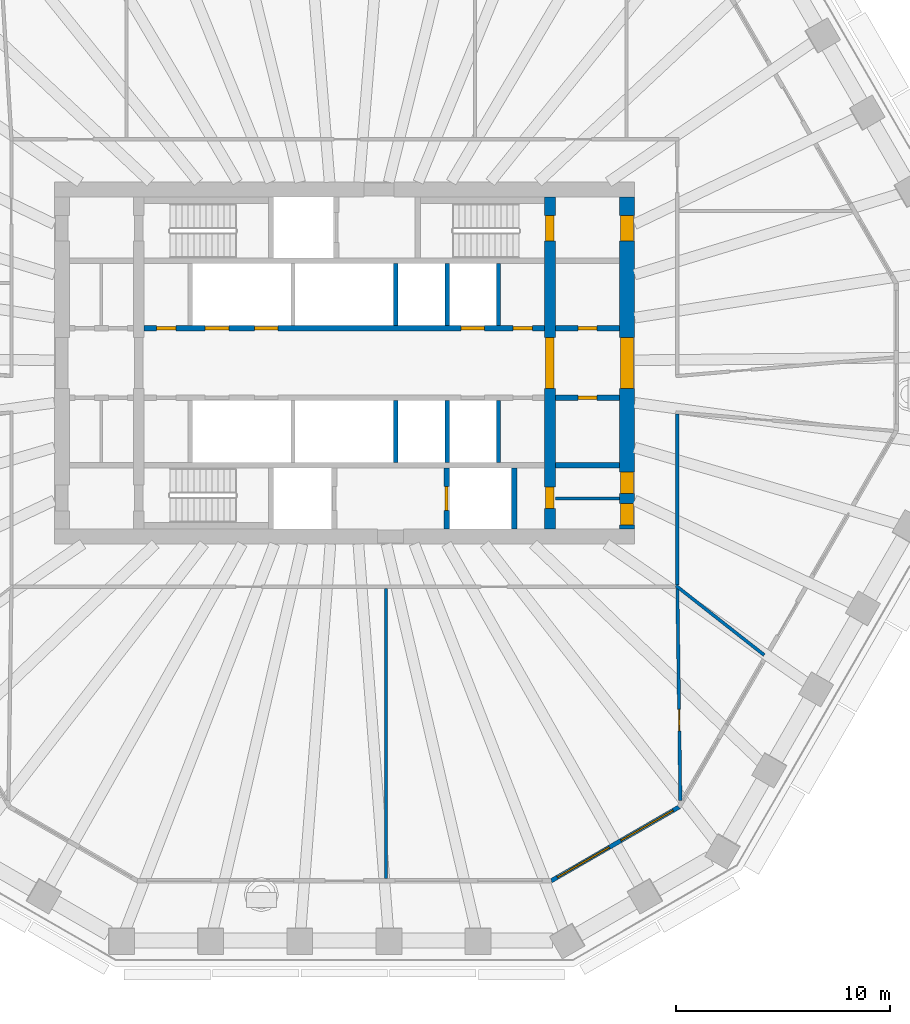
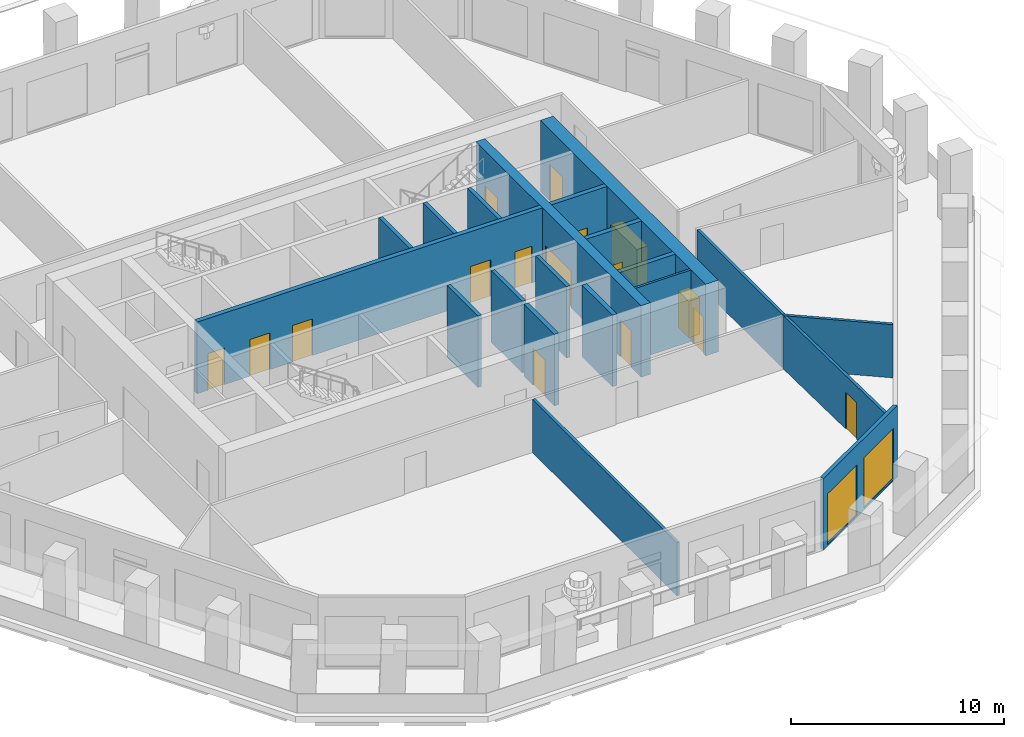
# One storey, part 5 of 12: 20 walls, 16 doors, 2 windows, 18 openings.
"""IFC4 building model written with IfcOpenShell, lengths in metres."""

from ifc_helpers import new_model, si_unit, direction, frame, frame_2d, origin, place, context, subcontext, project, spatial, polyline, rectangle, outline, extrude, material, layer, layer_set, type_object, element, fill, save


model = new_model("IFC4")

# Units and contexts
model_context = context("Model", 3, precision=1e-05, world=origin(), true_north=direction((0.0, 1.0)))
body_context = subcontext(model_context, "Body", "Model", "MODEL_VIEW")
ifc_project = project(units=[si_unit("LENGTHUNIT", "METRE"), si_unit("AREAUNIT", "SQUARE_METRE"), si_unit("VOLUMEUNIT", "CUBIC_METRE"), si_unit("PLANEANGLEUNIT", "RADIAN"), si_unit("MASSUNIT", "GRAM", prefix="KILO")], contexts=[model_context])

# Site, building, storey
site_placement = place(None, origin())
site = spatial("IfcSite", under=ifc_project, at=site_placement, CompositionType="ELEMENT")
building_placement = place(site_placement, origin())
building = spatial("IfcBuilding", under=site, at=building_placement, Name="Frailejon Research Tower", CompositionType="ELEMENT")
storey_placement = place(building_placement, frame((0.0, 0.0, 154.0)))
storey = spatial("IfcBuildingStorey", under=building, at=storey_placement, Name="L33", CompositionType="ELEMENT", Elevation=154.0)

# Wall
ifc_material_1 = material(Name="Plasterboard on steel studs", Category="steel")
ifc_layer_1 = layer(ifc_material_1, 0.125)
ifc_layer_set_1 = layer_set([ifc_layer_1], Name="Core partition 125")
wall_type_1 = type_object("IfcWallType", Name="Core partition 125", PredefinedType="PARTITIONING", material=ifc_layer_set_1)
wall_1_placement = place(storey_placement, frame((9.85009765625, -6.324951171875, 0.0), z_axis=(0.0, 0.0, 1.0), x_axis=(1.0, 0.0, 0.0)))
element("IfcWall", 1, at=wall_1_placement, inside=storey, type_object=wall_type_1, Name="Core partition", PredefinedType="PARTITIONING", context=body_context, shape_type="SweptSolid", body=[
    extrude(rectangle(XDim=3.0, YDim=0.125, at=frame_2d((1.5, 0.0))), origin(), (0.0, 0.0, 1.0), 4.10009765625),
])

# Wall, openings, doors
ifc_material_2 = material(Name="Concrete C60/75", Category="concrete")
ifc_layer_2 = layer(ifc_material_2, 0.5)
ifc_layer_set_2 = layer_set([ifc_layer_2], Name="Core shear wall 500 C60/75")
wall_type_2 = type_object("IfcWallType", Name="Core shear wall 500 C60/75", PredefinedType="SHEAR", material=ifc_layer_set_2)
wall_2_placement = place(storey_placement, frame((9.60009765625, -7.75, 0.0), z_axis=(0.0, 0.0, 1.0), x_axis=(0.0, 1.0, 0.0)))
wall_2 = element("IfcWall", 2, at=wall_2_placement, inside=storey, type_object=wall_type_2, Name="Core shear wall", PredefinedType="SHEAR", context=body_context, shape_type="SweptSolid", body=[
    extrude(rectangle(XDim=15.5, YDim=0.5, at=frame_2d((7.75, 0.0))), origin(), (0.0, 0.0, 1.0), 4.10009765625),
])
opening_1_placement = place(wall_2_placement, frame((6.550048828125, 0.0, 0.0)))
opening_1 = element("IfcOpeningElement", 3, at=opening_1_placement, cuts=wall_2, Name="Opening D2", PredefinedType="OPENING", context=body_context, shape_type="SweptSolid", body=[
    extrude(rectangle(XDim=2.39990234375, YDim=2.10009765625, at=frame_2d((1.199951171875, 1.050048828125))), frame((0.0, 0.260009765625, 0.0), z_axis=(0.0, -1.0, 0.0), x_axis=(1.0, 0.0, 0.0)), (0.0, 0.0, 1.0), 0.52001953125),
])
opening_2_placement = place(wall_2_placement, frame((13.449951171875, 0.0, 0.0)))
opening_2 = element("IfcOpeningElement", 4, at=opening_2_placement, cuts=wall_2, Name="Opening D1", PredefinedType="OPENING", context=body_context, shape_type="SweptSolid", body=[
    extrude(rectangle(XDim=1.199951171875, YDim=2.10009765625, at=frame_2d((0.60009765625, 1.050048828125))), frame((0.0, 0.260009765625, 0.0), z_axis=(0.0, -1.0, 0.0), x_axis=(1.0, 0.0, 0.0)), (0.0, 0.0, 1.0), 0.52001953125),
])
opening_3_placement = place(wall_2_placement, frame((0.949951171875, 0.0, 0.0)))
opening_3 = element("IfcOpeningElement", 5, at=opening_3_placement, cuts=wall_2, Name="Opening D4", PredefinedType="OPENING", context=body_context, shape_type="SweptSolid", body=[
    extrude(rectangle(XDim=1.0, YDim=2.10009765625, at=frame_2d((0.5, 1.050048828125))), frame((0.0, 0.260009765625, 0.0), z_axis=(0.0, -1.0, 0.0), x_axis=(1.0, 0.0, 0.0)), (0.0, 0.0, 1.0), 0.52001953125),
])
ifc_material_3 = material(Name="Steel", Category="steel")
door_type_1 = type_object("IfcDoorType", Name="Lobby double door", OperationType="DOUBLE_DOOR_SINGLE_SWING", PredefinedType="DOOR", material=ifc_material_3)
door_1_placement = place(opening_1_placement, origin())
door_1 = element("IfcDoor", 6, at=door_1_placement, inside=storey, type_object=door_type_1, Name="Lobby door", OperationType="DOUBLE_DOOR_SINGLE_SWING", OverallHeight=2.10009765625, OverallWidth=2.39990234375, PredefinedType="DOOR", context=body_context, shape_type="SweptSolid", body=[
    extrude(rectangle(XDim=2.39990234375, YDim=2.10009765625, at=frame_2d((1.199951171875, 1.050048828125))), frame((0.0, 0.199951171875, 0.0), z_axis=(0.0, -1.0, 0.0), x_axis=(1.0, 0.0, 0.0)), (0.0, 0.0, 1.0), 0.39990234375),
])
fill(opening_1, door_1)
ifc_material_4 = material(Name="Steel", Category="steel")
door_type_2 = type_object("IfcDoorType", Name="Service door", OperationType="SINGLE_SWING_LEFT", PredefinedType="DOOR", material=ifc_material_4)
door_2_placement = place(opening_3_placement, origin())
door_2 = element("IfcDoor", 7, at=door_2_placement, inside=storey, type_object=door_type_2, Name="Riser door", OperationType="SINGLE_SWING_RIGHT", OverallHeight=2.10009765625, OverallWidth=1.0, PredefinedType="DOOR", context=body_context, shape_type="SweptSolid", body=[
    extrude(rectangle(XDim=1.0, YDim=2.10009765625, at=frame_2d((0.5, 1.050048828125))), frame((0.0, 0.199951171875, 0.0), z_axis=(0.0, -1.0, 0.0), x_axis=(1.0, 0.0, 0.0)), (0.0, 0.0, 1.0), 0.39990234375),
])
fill(opening_3, door_2)
ifc_material_5 = material(Name="Steel", Category="steel")
door_type_3 = type_object("IfcDoorType", Name="Stair door", OperationType="SINGLE_SWING_LEFT", PredefinedType="DOOR", material=ifc_material_5)
door_3_placement = place(opening_2_placement, origin())
door_3 = element("IfcDoor", 8, at=door_3_placement, inside=storey, type_object=door_type_3, Name="Stair door ST3", OperationType="SINGLE_SWING_RIGHT", OverallHeight=2.10009765625, OverallWidth=1.199951171875, PredefinedType="DOOR", context=body_context, shape_type="SweptSolid", body=[
    extrude(rectangle(XDim=1.199951171875, YDim=2.10009765625, at=frame_2d((0.60009765625, 1.050048828125))), frame((0.0, 0.199951171875, 0.0), z_axis=(0.0, -1.0, 0.0), x_axis=(1.0, 0.0, 0.0)), (0.0, 0.0, 1.0), 0.39990234375),
])
fill(opening_2, door_3)

ifc_material_6 = material(Name="Concrete C60/75", Category="concrete")
ifc_layer_3 = layer(ifc_material_6, 0.699951171875)
ifc_layer_set_3 = layer_set([ifc_layer_3], Name="Core shear wall 700 C60/75")
wall_type_3 = type_object("IfcWallType", Name="Core shear wall 700 C60/75", PredefinedType="SHEAR", material=ifc_layer_set_3)
wall_3_placement = place(storey_placement, frame((13.199951171875, -7.75, 0.0), z_axis=(0.0, 0.0, 1.0), x_axis=(0.0, 1.0, 0.0)))
wall_3 = element("IfcWall", 9, at=wall_3_placement, inside=storey, type_object=wall_type_3, Name="Core shear wall", PredefinedType="SHEAR", context=body_context, shape_type="SweptSolid", body=[
    extrude(rectangle(XDim=15.5, YDim=0.699951171875, at=frame_2d((7.75, 0.0))), origin(), (0.0, 0.0, 1.0), 4.10009765625),
])
opening_4_placement = place(wall_3_placement, frame((6.550048828125, 0.0, 0.0)))
opening_4 = element("IfcOpeningElement", 10, at=opening_4_placement, cuts=wall_3, Name="Opening D2", PredefinedType="OPENING", context=body_context, shape_type="SweptSolid", body=[
    extrude(rectangle(XDim=2.39990234375, YDim=2.10009765625, at=frame_2d((1.199951171875, 1.050048828125))), frame((0.0, 0.35986328125, 0.0), z_axis=(0.0, -1.0, 0.0), x_axis=(1.0, 0.0, 0.0)), (0.0, 0.0, 1.0), 0.719970703125),
])
opening_5_placement = place(wall_3_placement, frame((13.449951171875, 0.0, 0.0)))
opening_5 = element("IfcOpeningElement", 11, at=opening_5_placement, cuts=wall_3, Name="Opening D7", PredefinedType="OPENING", context=body_context, shape_type="SweptSolid", body=[
    extrude(rectangle(XDim=1.199951171875, YDim=2.10009765625, at=frame_2d((0.60009765625, 1.050048828125))), frame((0.0, 0.35986328125, 0.0), z_axis=(0.0, -1.0, 0.0), x_axis=(1.0, 0.0, 0.0)), (0.0, 0.0, 1.0), 0.719970703125),
])
opening_6_placement = place(wall_3_placement, frame((0.181396484375, 0.0, 0.0)))
opening_6 = element("IfcOpeningElement", 12, at=opening_6_placement, cuts=wall_3, Name="Opening D4", PredefinedType="OPENING", context=body_context, shape_type="SweptSolid", body=[
    extrude(rectangle(XDim=1.0, YDim=2.10009765625, at=frame_2d((0.5, 1.050048828125))), frame((0.0, 0.35986328125, 0.0), z_axis=(0.0, -1.0, 0.0), x_axis=(1.0, 0.0, 0.0)), (0.0, 0.0, 1.0), 0.719970703125),
])
opening_7_placement = place(wall_3_placement, frame((1.668701171875, 0.0, 0.0)))
opening_7 = element("IfcOpeningElement", 13, at=opening_7_placement, cuts=wall_3, Name="Opening D4", PredefinedType="OPENING", context=body_context, shape_type="SweptSolid", body=[
    extrude(rectangle(XDim=1.0, YDim=2.10009765625, at=frame_2d((0.5, 1.050048828125))), frame((0.0, 0.35986328125, 0.0), z_axis=(0.0, -1.0, 0.0), x_axis=(1.0, 0.0, 0.0)), (0.0, 0.0, 1.0), 0.719970703125),
])
door_4_placement = place(opening_4_placement, origin())
door_4 = element("IfcDoor", 14, at=door_4_placement, inside=storey, type_object=door_type_1, Name="Lobby door", OperationType="DOUBLE_DOOR_SINGLE_SWING", OverallHeight=2.10009765625, OverallWidth=2.39990234375, PredefinedType="DOOR", context=body_context, shape_type="SweptSolid", body=[
    extrude(rectangle(XDim=2.39990234375, YDim=2.10009765625, at=frame_2d((1.199951171875, 1.050048828125))), frame((0.0, 0.300048828125, 0.0), z_axis=(0.0, -1.0, 0.0), x_axis=(1.0, 0.0, 0.0)), (0.0, 0.0, 1.0), 0.60009765625),
])
fill(opening_4, door_4)
door_5_placement = place(opening_6_placement, origin())
door_5 = element("IfcDoor", 15, at=door_5_placement, inside=storey, type_object=door_type_2, Name="Store door", OperationType="SINGLE_SWING_LEFT", OverallHeight=2.10009765625, OverallWidth=1.0, PredefinedType="DOOR", context=body_context, shape_type="SweptSolid", body=[
    extrude(rectangle(XDim=1.0, YDim=2.10009765625, at=frame_2d((0.5, 1.050048828125))), frame((0.0, 0.300048828125, 0.0), z_axis=(0.0, -1.0, 0.0), x_axis=(1.0, 0.0, 0.0)), (0.0, 0.0, 1.0), 0.60009765625),
])
fill(opening_6, door_5)
door_6_placement = place(opening_7_placement, origin())
door_6 = element("IfcDoor", 16, at=door_6_placement, inside=storey, type_object=door_type_2, Name="Store door", OperationType="SINGLE_SWING_RIGHT", OverallHeight=2.10009765625, OverallWidth=1.0, PredefinedType="DOOR", context=body_context, shape_type="SweptSolid", body=[
    extrude(rectangle(XDim=1.0, YDim=2.10009765625, at=frame_2d((0.5, 1.050048828125))), frame((0.0, 0.300048828125, 0.0), z_axis=(0.0, -1.0, 0.0), x_axis=(1.0, 0.0, 0.0)), (0.0, 0.0, 1.0), 0.60009765625),
])
fill(opening_7, door_6)
ifc_material_7 = material(Name="Steel", Category="steel")
door_type_4 = type_object("IfcDoorType", Name="Stair exit door", OperationType="SINGLE_SWING_LEFT", PredefinedType="DOOR", material=ifc_material_7)
door_7_placement = place(opening_5_placement, origin())
door_7 = element("IfcDoor", 17, at=door_7_placement, inside=storey, type_object=door_type_4, Name="Stair exit door ST3", OperationType="SINGLE_SWING_LEFT", OverallHeight=2.10009765625, OverallWidth=1.199951171875, PredefinedType="DOOR", context=body_context, shape_type="SweptSolid", body=[
    extrude(rectangle(XDim=1.199951171875, YDim=2.10009765625, at=frame_2d((0.60009765625, 1.050048828125))), frame((0.0, 0.300048828125, 0.0), z_axis=(0.0, -1.0, 0.0), x_axis=(1.0, 0.0, 0.0)), (0.0, 0.0, 1.0), 0.60009765625),
])
fill(opening_5, door_7)

# Walls
ifc_material_8 = material(Name="Gypsum board and masonry partition", Category="masonry")
ifc_layer_4 = layer(ifc_material_8, 0.14990234375)
ifc_layer_set_4 = layer_set([ifc_layer_4], Name="Corridor wall EI 60, gypsum on steel studs 150")
wall_type_4 = type_object("IfcWallType", Name="Corridor wall EI 60, gypsum on steel studs 150", PredefinedType="PARTITIONING", material=ifc_layer_set_4)
wall_4_placement = place(storey_placement, frame((15.550048828125, -10.375, 0.0), z_axis=(0.0, 0.0, 1.0), x_axis=(0.0, 1.0, 0.0)))
element("IfcWall", 18, at=wall_4_placement, inside=storey, type_object=wall_type_4, Name="T:IW:L33:003", PredefinedType="PARTITIONING", context=body_context, shape_type="SweptSolid", body=[
    extrude(rectangle(XDim=7.994384765625, YDim=0.14990234375, at=frame_2d((3.9970703125, 0.0))), origin(), (0.0, 0.0, 1.0), 3.050048828125),
])
ifc_material_9 = material(Name="Gypsum board and masonry partition", Category="masonry")
ifc_layer_5 = layer(ifc_material_9, 0.14990234375)
ifc_layer_set_5 = layer_set([ifc_layer_5], Name="Laboratory partition, blockwork 150")
wall_type_5 = type_object("IfcWallType", Name="Laboratory partition, blockwork 150", PredefinedType="PARTITIONING", material=ifc_layer_set_5)
wall_5_placement = place(storey_placement, frame((1.939208984375, -24.07666015625, 0.0), z_axis=(0.0, 0.0, 1.0), x_axis=(0.0, 1.0, 0.0)))
element("IfcWall", 19, at=wall_5_placement, inside=storey, type_object=wall_type_5, Name="T:IW:L33:018", PredefinedType="PARTITIONING", context=body_context, shape_type="SweptSolid", body=[
    extrude(rectangle(XDim=13.5517578125, YDim=0.14990234375, at=frame_2d((6.77587890625, 0.0))), origin(), (0.0, 0.0, 1.0), 3.050048828125),
])

# Wall, opening, door
wall_6_placement = place(storey_placement, frame((15.551025390625, -10.52490234375, 0.0), z_axis=(0.0, 0.0, 1.0), x_axis=(0.014157785589, -0.999899773531, 0.0)))
wall_6 = element("IfcWall", 20, at=wall_6_placement, inside=storey, type_object=wall_type_5, Name="T:IW:L33:019", PredefinedType="PARTITIONING", context=body_context, shape_type="SweptSolid", body=[
    extrude(rectangle(XDim=9.898193359375, YDim=0.14990234375, at=frame_2d((4.94921875, 0.0))), origin(), (0.0, 0.0, 1.0), 3.050048828125),
])
opening_8_placement = place(wall_6_placement, frame((5.652587890625, 0.0, 0.0)))
opening_8 = element("IfcOpeningElement", 21, at=opening_8_placement, cuts=wall_6, Name="Opening D1732", PredefinedType="OPENING", context=body_context, shape_type="SweptSolid", body=[
    extrude(rectangle(XDim=1.0, YDim=2.10009765625, at=frame_2d((0.5, 1.050048828125))), frame((0.0, 0.0849609375, 0.0), z_axis=(0.0, -1.0, 0.0), x_axis=(1.0, 0.0, 0.0)), (0.0, 0.0, 1.0), 0.169921875),
])
ifc_material_10 = material(Name="Timber door leaf", Category="wood")
door_type_5 = type_object("IfcDoorType", Name="Door laboratory, timber, vision panel 1000", OperationType="NOTDEFINED", PredefinedType="DOOR", material=ifc_material_10)
door_8_placement = place(opening_8_placement, origin())
door_8 = element("IfcDoor", 22, at=door_8_placement, inside=storey, type_object=door_type_5, Name="D1732", OperationType="SINGLE_SWING_RIGHT", OverallHeight=2.10009765625, OverallWidth=1.0, PredefinedType="DOOR", context=body_context, shape_type="SweptSolid", body=[
    extrude(rectangle(XDim=1.0, YDim=2.10009765625, at=frame_2d((0.5, 1.050048828125))), frame((0.0, 0.02490234375, 0.0), z_axis=(0.0, -1.0, 0.0), x_axis=(1.0, 0.0, 0.0)), (0.0, 0.0, 1.0), 0.050048828125),
])
fill(opening_8, door_8)

# Walls
wall_7_placement = place(storey_placement, frame((15.490966796875, -10.40380859375, 0.0), z_axis=(0.0, 0.0, 1.0), x_axis=(0.78641541947, -0.617697974757, 0.0)))
element("IfcWall", 23, at=wall_7_placement, inside=storey, type_object=wall_type_5, Name="T:IW:L33:020", PredefinedType="PARTITIONING", context=body_context, shape_type="SweptSolid", body=[
    extrude(rectangle(XDim=5.2353515625, YDim=0.14990234375, at=frame_2d((2.61767578125, 0.0))), origin(), (0.0, 0.0, 1.0), 3.050048828125),
])
ifc_material_11 = material(Name="Concrete C60/75", Category="concrete")
ifc_layer_6 = layer(ifc_material_11, 0.199951171875)
ifc_layer_set_6 = layer_set([ifc_layer_6], Name="Shaft wall 200 C60/75")
wall_type_6 = type_object("IfcWallType", Name="Shaft wall 200 C60/75", PredefinedType="SOLIDWALL", material=ifc_layer_set_6)
for number, where, z_axis, x_axis, name in (
    (24, (2.39990234375, 1.75, 0.0), (0.0, 0.0, 1.0), (0.0, 1.0, 0.0), "Shaft wall"),
    (25, (4.800048828125, 1.75, 0.0), (0.0, 0.0, 1.0), (0.0, 1.0, 0.0), "Shaft wall"),
    (26, (7.199951171875, 1.75, 0.0), (0.0, 0.0, 1.0), (0.0, 1.0, 0.0), "Shaft wall"),
    (27, (2.39990234375, -4.64990234375, 0.0), (0.0, 0.0, 1.0), (0.0, 1.0, 0.0), "Shaft wall"),
    (28, (4.800048828125, -4.64990234375, 0.0), (0.0, 0.0, 1.0), (0.0, 1.0, 0.0), "Shaft wall"),
    (29, (7.199951171875, -4.64990234375, 0.0), (0.0, 0.0, 1.0), (0.0, 1.0, 0.0), "Shaft wall"),
):
    element("IfcWall", number, at=place(storey_placement, frame(where, z_axis=z_axis, x_axis=x_axis)), inside=storey, type_object=wall_type_6, Name=name, PredefinedType="SOLIDWALL", context=body_context, shape_type="SweptSolid", body=[
        extrude(rectangle(XDim=2.89990234375, YDim=0.199951171875, at=frame_2d((1.449951171875, 0.0))), origin(), (0.0, 0.0, 1.0), 4.10009765625),
    ])

# Wall, openings, doors
ifc_material_12 = material(Name="Concrete C60/75", Category="concrete")
ifc_layer_7 = layer(ifc_material_12, 0.25)
ifc_layer_set_7 = layer_set([ifc_layer_7], Name="Shaft wall 250 C60/75")
wall_type_7 = type_object("IfcWallType", Name="Shaft wall 250 C60/75", PredefinedType="SOLIDWALL", material=ifc_layer_set_7)
wall_8_placement = place(storey_placement, frame((-9.35009765625, 1.625, 0.0), z_axis=(0.0, 0.0, 1.0), x_axis=(1.0, 0.0, 0.0)))
wall_8 = element("IfcWall", 30, at=wall_8_placement, inside=storey, type_object=wall_type_7, Name="Shaft wall", PredefinedType="SOLIDWALL", context=body_context, shape_type="SweptSolid", body=[
    extrude(rectangle(XDim=18.7001953125, YDim=0.25, at=frame_2d((9.35009765625, 0.0))), origin(), (0.0, 0.0, 1.0), 4.10009765625),
])
opening_9_placement = place(wall_8_placement, frame((2.85009765625, 0.0, 0.0)))
opening_9 = element("IfcOpeningElement", 31, at=opening_9_placement, cuts=wall_8, Name="Opening LD", PredefinedType="OPENING", context=body_context, shape_type="SweptSolid", body=[
    extrude(rectangle(XDim=1.10009765625, YDim=2.10009765625, at=frame_2d((0.550048828125, 1.050048828125))), frame((0.0, 0.135009765625, 0.0), z_axis=(0.0, -1.0, 0.0), x_axis=(1.0, 0.0, 0.0)), (0.0, 0.0, 1.0), 0.27001953125),
])
opening_10_placement = place(wall_8_placement, frame((5.14990234375, 0.0, 0.0)))
opening_10 = element("IfcOpeningElement", 32, at=opening_10_placement, cuts=wall_8, Name="Opening LD", PredefinedType="OPENING", context=body_context, shape_type="SweptSolid", body=[
    extrude(rectangle(XDim=1.10009765625, YDim=2.10009765625, at=frame_2d((0.550048828125, 1.050048828125))), frame((0.0, 0.135009765625, 0.0), z_axis=(0.0, -1.0, 0.0), x_axis=(1.0, 0.0, 0.0)), (0.0, 0.0, 1.0), 0.27001953125),
])
opening_11_placement = place(wall_8_placement, frame((14.800048828125, 0.0, 0.0)))
opening_11 = element("IfcOpeningElement", 33, at=opening_11_placement, cuts=wall_8, Name="Opening LD", PredefinedType="OPENING", context=body_context, shape_type="SweptSolid", body=[
    extrude(rectangle(XDim=1.10009765625, YDim=2.10009765625, at=frame_2d((0.550048828125, 1.050048828125))), frame((0.0, 0.135009765625, 0.0), z_axis=(0.0, -1.0, 0.0), x_axis=(1.0, 0.0, 0.0)), (0.0, 0.0, 1.0), 0.27001953125),
])
opening_12_placement = place(wall_8_placement, frame((0.574951171875, 0.0, 0.0)))
opening_12 = element("IfcOpeningElement", 34, at=opening_12_placement, cuts=wall_8, Name="Opening D8", PredefinedType="OPENING", context=body_context, shape_type="SweptSolid", body=[
    extrude(rectangle(XDim=0.89990234375, YDim=2.10009765625, at=frame_2d((0.449951171875, 1.050048828125))), frame((0.0, 0.135009765625, 0.0), z_axis=(0.0, -1.0, 0.0), x_axis=(1.0, 0.0, 0.0)), (0.0, 0.0, 1.0), 0.27001953125),
])
opening_13_placement = place(wall_8_placement, frame((17.22509765625, 0.0, 0.0)))
opening_13 = element("IfcOpeningElement", 35, at=opening_13_placement, cuts=wall_8, Name="Opening D8", PredefinedType="OPENING", context=body_context, shape_type="SweptSolid", body=[
    extrude(rectangle(XDim=0.89990234375, YDim=2.10009765625, at=frame_2d((0.449951171875, 1.050048828125))), frame((0.0, 0.135009765625, 0.0), z_axis=(0.0, -1.0, 0.0), x_axis=(1.0, 0.0, 0.0)), (0.0, 0.0, 1.0), 0.27001953125),
])
ifc_material_13 = material(Name="Steel", Category="steel")
door_type_6 = type_object("IfcDoorType", Name="Core room door", OperationType="SINGLE_SWING_LEFT", PredefinedType="DOOR", material=ifc_material_13)
door_9_placement = place(opening_12_placement, origin())
door_9 = element("IfcDoor", 36, at=door_9_placement, inside=storey, type_object=door_type_6, Name="Room door", OperationType="SINGLE_SWING_LEFT", OverallHeight=2.10009765625, OverallWidth=0.89990234375, PredefinedType="DOOR", context=body_context, shape_type="SweptSolid", body=[
    extrude(rectangle(XDim=0.89990234375, YDim=2.10009765625, at=frame_2d((0.449951171875, 1.050048828125))), frame((0.0, 0.074951171875, 0.0), z_axis=(0.0, -1.0, 0.0), x_axis=(1.0, 0.0, 0.0)), (0.0, 0.0, 1.0), 0.14990234375),
])
fill(opening_12, door_9)
door_10_placement = place(opening_13_placement, origin())
door_10 = element("IfcDoor", 37, at=door_10_placement, inside=storey, type_object=door_type_6, Name="Room door", OperationType="SINGLE_SWING_RIGHT", OverallHeight=2.10009765625, OverallWidth=0.89990234375, PredefinedType="DOOR", context=body_context, shape_type="SweptSolid", body=[
    extrude(rectangle(XDim=0.89990234375, YDim=2.10009765625, at=frame_2d((0.449951171875, 1.050048828125))), frame((0.0, 0.074951171875, 0.0), z_axis=(0.0, -1.0, 0.0), x_axis=(1.0, 0.0, 0.0)), (0.0, 0.0, 1.0), 0.14990234375),
])
fill(opening_13, door_10)
ifc_material_14 = material(Name="Steel", Category="steel")
door_type_7 = type_object("IfcDoorType", Name="Lift landing door", OperationType="DOUBLE_DOOR_SLIDING", PredefinedType="DOOR", material=ifc_material_14)
door_11_placement = place(opening_9_placement, origin())
door_11 = element("IfcDoor", 38, at=door_11_placement, inside=storey, type_object=door_type_7, Name="Lift landing door", OperationType="DOUBLE_DOOR_SLIDING", OverallHeight=2.10009765625, OverallWidth=1.10009765625, PredefinedType="DOOR", context=body_context, shape_type="SweptSolid", body=[
    extrude(rectangle(XDim=1.10009765625, YDim=2.10009765625, at=frame_2d((0.550048828125, 1.050048828125))), frame((0.0, 0.074951171875, 0.0), z_axis=(0.0, -1.0, 0.0), x_axis=(1.0, 0.0, 0.0)), (0.0, 0.0, 1.0), 0.14990234375),
])
fill(opening_9, door_11)
door_12_placement = place(opening_10_placement, origin())
door_12 = element("IfcDoor", 39, at=door_12_placement, inside=storey, type_object=door_type_7, Name="Lift landing door", OperationType="DOUBLE_DOOR_SLIDING", OverallHeight=2.10009765625, OverallWidth=1.10009765625, PredefinedType="DOOR", context=body_context, shape_type="SweptSolid", body=[
    extrude(rectangle(XDim=1.10009765625, YDim=2.10009765625, at=frame_2d((0.550048828125, 1.050048828125))), frame((0.0, 0.074951171875, 0.0), z_axis=(0.0, -1.0, 0.0), x_axis=(1.0, 0.0, 0.0)), (0.0, 0.0, 1.0), 0.14990234375),
])
fill(opening_10, door_12)
door_13_placement = place(opening_11_placement, origin())
door_13 = element("IfcDoor", 40, at=door_13_placement, inside=storey, type_object=door_type_7, Name="Lift landing door", OperationType="DOUBLE_DOOR_SLIDING", OverallHeight=2.10009765625, OverallWidth=1.10009765625, PredefinedType="DOOR", context=body_context, shape_type="SweptSolid", body=[
    extrude(rectangle(XDim=1.10009765625, YDim=2.10009765625, at=frame_2d((0.550048828125, 1.050048828125))), frame((0.0, 0.074951171875, 0.0), z_axis=(0.0, -1.0, 0.0), x_axis=(1.0, 0.0, 0.0)), (0.0, 0.0, 1.0), 0.14990234375),
])
fill(opening_11, door_13)

# Wall, opening, door
wall_9_placement = place(storey_placement, frame((9.85009765625, 1.625, 0.0), z_axis=(0.0, 0.0, 1.0), x_axis=(1.0, 0.0, 0.0)))
wall_9 = element("IfcWall", 41, at=wall_9_placement, inside=storey, type_object=wall_type_7, Name="Shaft wall", PredefinedType="SOLIDWALL", context=body_context, shape_type="SweptSolid", body=[
    extrude(rectangle(XDim=3.0, YDim=0.25, at=frame_2d((1.5, 0.0))), origin(), (0.0, 0.0, 1.0), 4.10009765625),
])
opening_14_placement = place(wall_9_placement, frame((1.050048828125, 0.0, 0.0)))
opening_14 = element("IfcOpeningElement", 42, at=opening_14_placement, cuts=wall_9, Name="Opening D8", PredefinedType="OPENING", context=body_context, shape_type="SweptSolid", body=[
    extrude(rectangle(XDim=0.89990234375, YDim=2.10009765625, at=frame_2d((0.449951171875, 1.050048828125))), frame((0.0, 0.135009765625, 0.0), z_axis=(0.0, -1.0, 0.0), x_axis=(1.0, 0.0, 0.0)), (0.0, 0.0, 1.0), 0.27001953125),
])
door_14_placement = place(opening_14_placement, origin())
door_14 = element("IfcDoor", 43, at=door_14_placement, inside=storey, type_object=door_type_6, Name="Room door", OperationType="SINGLE_SWING_LEFT", OverallHeight=2.10009765625, OverallWidth=0.89990234375, PredefinedType="DOOR", context=body_context, shape_type="SweptSolid", body=[
    extrude(rectangle(XDim=0.89990234375, YDim=2.10009765625, at=frame_2d((0.449951171875, 1.050048828125))), frame((0.0, 0.074951171875, 0.0), z_axis=(0.0, -1.0, 0.0), x_axis=(1.0, 0.0, 0.0)), (0.0, 0.0, 1.0), 0.14990234375),
])
fill(opening_14, door_14)

wall_10_placement = place(storey_placement, frame((9.85009765625, -1.625, 0.0), z_axis=(0.0, 0.0, 1.0), x_axis=(1.0, 0.0, 0.0)))
wall_10 = element("IfcWall", 44, at=wall_10_placement, inside=storey, type_object=wall_type_7, Name="Shaft wall", PredefinedType="SOLIDWALL", context=body_context, shape_type="SweptSolid", body=[
    extrude(rectangle(XDim=3.0, YDim=0.25, at=frame_2d((1.5, 0.0))), origin(), (0.0, 0.0, 1.0), 4.10009765625),
])
opening_15_placement = place(wall_10_placement, frame((1.050048828125, 0.0, 0.0)))
opening_15 = element("IfcOpeningElement", 45, at=opening_15_placement, cuts=wall_10, Name="Opening D8", PredefinedType="OPENING", context=body_context, shape_type="SweptSolid", body=[
    extrude(rectangle(XDim=0.89990234375, YDim=2.10009765625, at=frame_2d((0.449951171875, 1.050048828125))), frame((0.0, 0.135009765625, 0.0), z_axis=(0.0, -1.0, 0.0), x_axis=(1.0, 0.0, 0.0)), (0.0, 0.0, 1.0), 0.27001953125),
])
door_15_placement = place(opening_15_placement, origin())
door_15 = element("IfcDoor", 46, at=door_15_placement, inside=storey, type_object=door_type_6, Name="Room door", OperationType="SINGLE_SWING_RIGHT", OverallHeight=2.10009765625, OverallWidth=0.89990234375, PredefinedType="DOOR", context=body_context, shape_type="SweptSolid", body=[
    extrude(rectangle(XDim=0.89990234375, YDim=2.10009765625, at=frame_2d((0.449951171875, 1.050048828125))), frame((0.0, 0.074951171875, 0.0), z_axis=(0.0, -1.0, 0.0), x_axis=(1.0, 0.0, 0.0)), (0.0, 0.0, 1.0), 0.14990234375),
])
fill(opening_15, door_15)

# Wall
wall_11_placement = place(storey_placement, frame((9.85009765625, -4.77490234375, 0.0), z_axis=(0.0, 0.0, 1.0), x_axis=(1.0, 0.0, 0.0)))
element("IfcWall", 47, at=wall_11_placement, inside=storey, type_object=wall_type_7, Name="Shaft wall", PredefinedType="SOLIDWALL", context=body_context, shape_type="SweptSolid", body=[
    extrude(rectangle(XDim=3.0, YDim=0.25, at=frame_2d((1.5, 0.0))), origin(), (0.0, 0.0, 1.0), 4.10009765625),
])

# Wall, opening, door
wall_12_placement = place(storey_placement, frame((4.77490234375, -7.75, 0.0), z_axis=(0.0, 0.0, 1.0), x_axis=(0.0, 1.0, 0.0)))
wall_12 = element("IfcWall", 48, at=wall_12_placement, inside=storey, type_object=wall_type_7, Name="Shaft wall", PredefinedType="SOLIDWALL", context=body_context, shape_type="SweptSolid", body=[
    extrude(rectangle(XDim=2.85009765625, YDim=0.25, at=frame_2d((1.425048828125, 0.0))), origin(), (0.0, 0.0, 1.0), 4.10009765625),
])
opening_16_placement = place(wall_12_placement, frame((0.875, 0.0, 0.0)))
opening_16 = element("IfcOpeningElement", 49, at=opening_16_placement, cuts=wall_12, Name="Opening LD", PredefinedType="OPENING", context=body_context, shape_type="SweptSolid", body=[
    extrude(rectangle(XDim=1.10009765625, YDim=2.10009765625, at=frame_2d((0.550048828125, 1.050048828125))), frame((0.0, 0.135009765625, 0.0), z_axis=(0.0, -1.0, 0.0), x_axis=(1.0, 0.0, 0.0)), (0.0, 0.0, 1.0), 0.27001953125),
])
door_16_placement = place(opening_16_placement, origin())
door_16 = element("IfcDoor", 50, at=door_16_placement, inside=storey, type_object=door_type_7, Name="Lift landing door", OperationType="DOUBLE_DOOR_SLIDING", OverallHeight=2.10009765625, OverallWidth=1.10009765625, PredefinedType="DOOR", context=body_context, shape_type="SweptSolid", body=[
    extrude(rectangle(XDim=1.10009765625, YDim=2.10009765625, at=frame_2d((0.550048828125, 1.050048828125))), frame((0.0, 0.074951171875, 0.0), z_axis=(0.0, -1.0, 0.0), x_axis=(1.0, 0.0, 0.0)), (0.0, 0.0, 1.0), 0.14990234375),
])
fill(opening_16, door_16)

# Wall
wall_13_placement = place(storey_placement, frame((7.925048828125, -7.75, 0.0), z_axis=(0.0, 0.0, 1.0), x_axis=(0.0, 1.0, 0.0)))
element("IfcWall", 51, at=wall_13_placement, inside=storey, type_object=wall_type_7, Name="Shaft wall", PredefinedType="SOLIDWALL", context=body_context, shape_type="SweptSolid", body=[
    extrude(rectangle(XDim=2.85009765625, YDim=0.25, at=frame_2d((1.425048828125, 0.0))), origin(), (0.0, 0.0, 1.0), 4.10009765625),
])

# Wall, openings, windows
ifc_material_15 = material(Name="Concrete C40/50 precast window wall panel", Category="concrete")
ifc_layer_8 = layer(ifc_material_15, 0.199951171875)
ifc_layer_set_8 = layer_set([ifc_layer_8], Name="Window wall 200")
wall_type_8 = type_object("IfcWallType", Name="Window wall 200", PredefinedType="SOLIDWALL", material=ifc_layer_set_8)
wall_14_placement = place(storey_placement, frame((9.669921875, -24.176513671875, 0.0), z_axis=(0.0, 0.0, 1.0), x_axis=(0.866029458321, 0.49999297727, 0.0)))
wall_14 = element("IfcWall", 52, at=wall_14_placement, inside=storey, type_object=wall_type_8, Name="Exterior wall L33", PredefinedType="SOLIDWALL", context=body_context, shape_type="SweptSolid", body=[
    extrude(outline(polyline([(-0.02685546875, -0.10009765625), (1.1279296875, -0.10009765625), (2.282470703125, -0.10009765625), (3.437255859375, -0.10009765625), (4.592041015625, -0.10009765625), (5.74658203125, -0.10009765625), (6.9013671875, -0.10009765625), (6.84765625, 0.10009765625), (5.7109375, 0.10009765625), (4.573974609375, 0.10009765625), (3.437255859375, 0.10009765625), (2.300537109375, 0.10009765625), (1.16357421875, 0.10009765625), (0.02685546875, 0.10009765625), (-0.02685546875, -0.10009765625)])), origin(), (0.0, 0.0, 1.0), 4.10009765625),
])
opening_17_placement = place(wall_14_placement, frame((0.318603515625, 0.0, 0.10009765625)))
opening_17 = element("IfcOpeningElement", 53, at=opening_17_placement, cuts=wall_14, Name="Opening W3", PredefinedType="OPENING", context=body_context, shape_type="SweptSolid", body=[
    extrude(rectangle(XDim=2.800048828125, YDim=2.89990234375, at=frame_2d((1.39990234375, 1.449951171875))), frame((0.0, 0.10986328125, 0.0), z_axis=(0.0, -1.0, 0.0), x_axis=(1.0, 0.0, 0.0)), (0.0, 0.0, 1.0), 0.219970703125),
])
opening_18_placement = place(wall_14_placement, frame((3.756103515625, 0.0, 0.10009765625)))
opening_18 = element("IfcOpeningElement", 54, at=opening_18_placement, cuts=wall_14, Name="Opening W3", PredefinedType="OPENING", context=body_context, shape_type="SweptSolid", body=[
    extrude(rectangle(XDim=2.800048828125, YDim=2.89990234375, at=frame_2d((1.39990234375, 1.449951171875))), frame((0.0, 0.10986328125, 0.0), z_axis=(0.0, -1.0, 0.0), x_axis=(1.0, 0.0, 0.0)), (0.0, 0.0, 1.0), 0.219970703125),
])
ifc_material_16 = material(Name="Aluminium framed double glazing", Category="aluminium")
window_type = type_object("IfcWindowType", Name="Window 2800x2900", PartitioningType="SINGLE_PANEL", PredefinedType="WINDOW", material=ifc_material_16)
window_1_placement = place(opening_17_placement, origin())
window_1 = element("IfcWindow", 55, at=window_1_placement, inside=storey, type_object=window_type, Name="Window L33", OverallHeight=2.89990234375, OverallWidth=2.800048828125, PartitioningType="SINGLE_PANEL", PredefinedType="WINDOW", context=body_context, shape_type="SweptSolid", body=[
    extrude(rectangle(XDim=2.800048828125, YDim=2.89990234375, at=frame_2d((1.39990234375, 1.449951171875))), frame((0.0, 0.030029296875, 0.0), z_axis=(0.0, -1.0, 0.0), x_axis=(1.0, 0.0, 0.0)), (0.0, 0.0, 1.0), 0.06005859375),
])
fill(opening_17, window_1)
window_2_placement = place(opening_18_placement, origin())
window_2 = element("IfcWindow", 56, at=window_2_placement, inside=storey, type_object=window_type, Name="Window L33", OverallHeight=2.89990234375, OverallWidth=2.800048828125, PartitioningType="SINGLE_PANEL", PredefinedType="WINDOW", context=body_context, shape_type="SweptSolid", body=[
    extrude(rectangle(XDim=2.800048828125, YDim=2.89990234375, at=frame_2d((1.39990234375, 1.449951171875))), frame((0.0, 0.030029296875, 0.0), z_axis=(0.0, -1.0, 0.0), x_axis=(1.0, 0.0, 0.0)), (0.0, 0.0, 1.0), 0.06005859375),
])
fill(opening_18, window_2)

save(model, "model.ifc")
